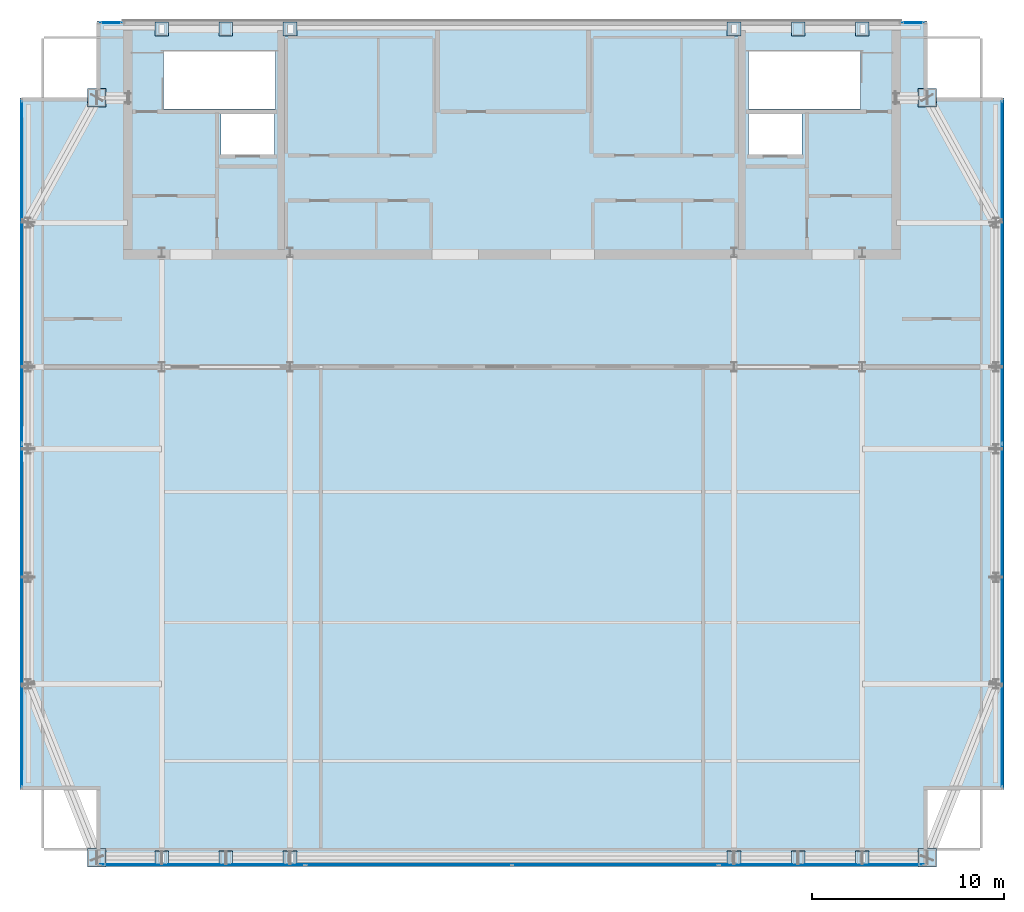
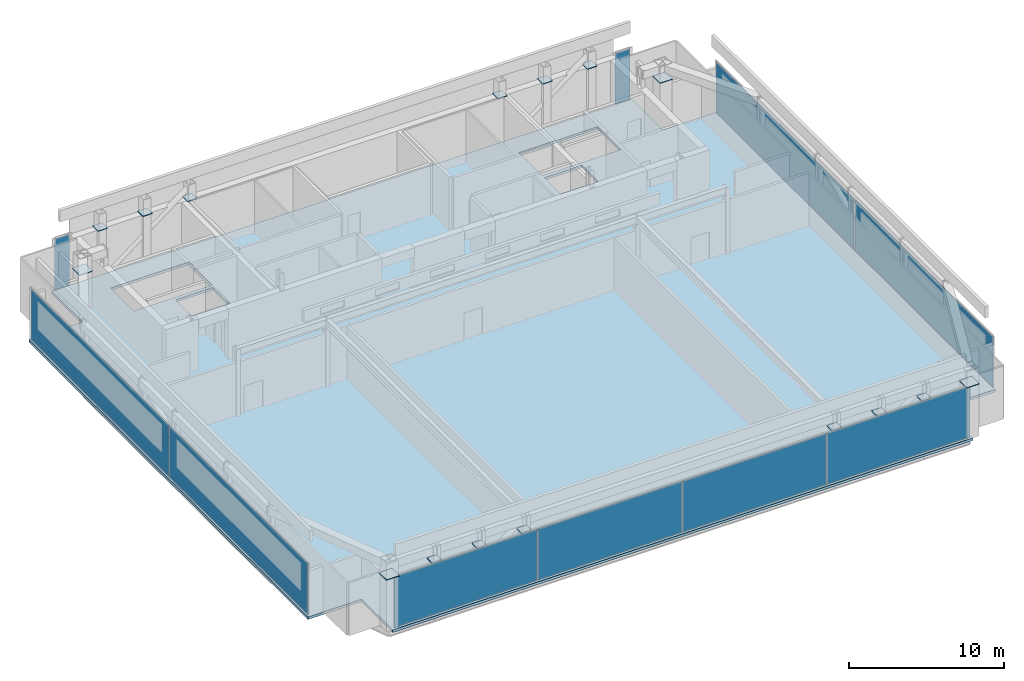
# One storey, part 18 of 24: 26 plates, 1 slab, 5 elements without a shape of their own.
"""IFC4 building model written with IfcOpenShell, lengths in metres."""

import ifcopenshell
import ifcopenshell.guid

model = None  # the IFC model being written
_history = None  # IfcOwnerHistory: only IFC2X3 demands one
_inside = {}  # id of a spatial element -> (the spatial element, [elements in it])
_under = {}  # id of a project, library or spatial element -> (it, [spatial elements below it])
_declared = {}  # id of a project -> (the project, [libraries it declares])
_typed = {}  # id of a type object -> (the type object, [elements of that type])
_made_of = {}  # id of a material, layer set ... -> (it, [elements and type objects made of it])


def new_model(schema):
    """Start an empty IFC model of exactly this schema.

    Asked for "IFC4X3", IfcOpenShell would pick the latest addendum, in which some entities
    have other attributes; the version numbers below select the first issue.
    IFC2X3 requires an IfcOwnerHistory on every rooted entity: one is made here for all.
    """
    global model, _history
    if schema == "IFC4X3":
        model = ifcopenshell.file(schema_version=(4, 3, 0, 0))
    else:
        model = ifcopenshell.file(schema=schema)
    _inside.clear()
    _under.clear()
    _declared.clear()
    _typed.clear()
    _made_of.clear()
    _history = None
    if model.schema == "IFC2X3":
        org = make("IfcOrganization", Name="unknown")
        user = make(
            "IfcPersonAndOrganization",
            ThePerson=make("IfcPerson", FamilyName="unknown"),
            TheOrganization=org,
        )
        app = make(
            "IfcApplication",
            ApplicationDeveloper=org,
            Version="unknown",
            ApplicationFullName="unknown",
            ApplicationIdentifier="unknown",
        )
        _history = make(
            "IfcOwnerHistory",
            OwningUser=user,
            OwningApplication=app,
            ChangeAction="ADDED",
            CreationDate=0,
        )
    return model


def make(cls, **values):
    """One entity of the class cls with the attributes given. An attribute that is None is left unset."""
    return model.create_entity(
        cls, **{name: value for name, value in values.items() if value is not None}
    )


def rooted(cls, **values):
    """An entity with a GlobalId (a new one), such as an element, a storey or a relation."""
    return make(cls, GlobalId=ifcopenshell.guid.new(), OwnerHistory=_history, **values)


def si_unit(unit_type, name, prefix=None):
    """IfcSIUnit, for example si_unit("LENGTHUNIT", "METRE", prefix="MILLI")."""
    return make("IfcSIUnit", UnitType=unit_type, Prefix=prefix, Name=name)


def assignment(units):
    """IfcUnitAssignment: the units of a project."""
    return None if units is None else make("IfcUnitAssignment", Units=units)


def point(xyz):
    """IfcCartesianPoint."""
    return None if xyz is None else make("IfcCartesianPoint", Coordinates=xyz)


def direction(xyz):
    """IfcDirection."""
    return None if xyz is None else make("IfcDirection", DirectionRatios=xyz)


def frame(location, z_axis=None, x_axis=None):
    """IfcAxis2Placement3D, a coordinate frame: its origin and axes. An axis left out is left unset."""
    return make(
        "IfcAxis2Placement3D",
        Location=point(location),
        Axis=direction(z_axis),
        RefDirection=direction(x_axis),
    )


def frame_2d(location, x_axis=None):
    """IfcAxis2Placement2D, a coordinate frame in the plane: its origin and x axis."""
    return make(
        "IfcAxis2Placement2D", Location=point(location), RefDirection=direction(x_axis)
    )


def origin():
    """The frame at (0, 0, 0) with its axes left unset."""
    return frame((0.0, 0.0, 0.0))


def origin_2d():
    """The frame at (0, 0) in the plane with its x axis left unset."""
    return frame_2d((0.0, 0.0))


def place(relative_to, where):
    """IfcLocalPlacement: puts the frame where relative to a parent placement (None: the world)."""
    return make(
        "IfcLocalPlacement", PlacementRelTo=relative_to, RelativePlacement=where
    )


def context(
    kind, dimensions, precision=None, world=None, true_north=None, identifier=None
):
    """IfcGeometricRepresentationContext, for example the 3D "Model" context."""
    return make(
        "IfcGeometricRepresentationContext",
        ContextIdentifier=identifier,
        ContextType=kind,
        CoordinateSpaceDimension=dimensions,
        Precision=precision,
        WorldCoordinateSystem=world,
        TrueNorth=true_north,
    )


def subcontext(parent, identifier, kind, view, scale=None):
    """IfcGeometricRepresentationSubContext, for example "Body" below "Model"."""
    return make(
        "IfcGeometricRepresentationSubContext",
        ContextIdentifier=identifier,
        ContextType=kind,
        ParentContext=parent,
        TargetScale=scale,
        TargetView=view,
    )


def project(units=None, contexts=None):
    """IfcProject with its units and contexts."""
    return rooted(
        "IfcProject",
        Name="project",
        RepresentationContexts=contexts,
        UnitsInContext=assignment(units),
    )


def spatial(cls, under=None, at=None, **own):
    """A site, building, storey or space (cls), placed at a placement, below another one or the project."""
    s = rooted(cls, ObjectPlacement=at, **own)
    if under is not None:
        _under.setdefault(under.id(), (under, []))[1].append(s)
    return s


def polyline(points):
    """IfcPolyline through the points."""
    return make("IfcPolyline", Points=[point(p) for p in points])


def profile(cls, at=None, kind="AREA", **sizes):
    """A parametric profile (cls). Its sizes go by their IFC names, for example OverallWidth=200.0."""
    return make(cls, ProfileType=kind, Position=at, **sizes)


def rectangle(**sizes):
    """IfcRectangleProfileDef."""
    return profile("IfcRectangleProfileDef", **sizes)


def outline(outer, holes=None, kind="AREA"):
    """IfcArbitraryClosedProfileDef: a profile drawn as a closed curve; with holes, ...WithVoids."""
    if holes is None:
        return make("IfcArbitraryClosedProfileDef", ProfileType=kind, OuterCurve=outer)
    return make(
        "IfcArbitraryProfileDefWithVoids",
        ProfileType=kind,
        OuterCurve=outer,
        InnerCurves=holes,
    )


def extrude(swept, where, along, depth):
    """IfcExtrudedAreaSolid: the profile swept, set in the frame where, extruded along a direction by depth."""
    return make(
        "IfcExtrudedAreaSolid",
        SweptArea=swept,
        Position=where,
        ExtrudedDirection=direction(along),
        Depth=depth,
    )


def shape(context_of_items, identifier, shape_type, items):
    """IfcShapeRepresentation: the items that make up one representation, for example the "Body"."""
    return make(
        "IfcShapeRepresentation",
        ContextOfItems=context_of_items,
        RepresentationIdentifier=identifier,
        RepresentationType=shape_type,
        Items=items,
    )


def material(Name=None, Category=None):
    """IfcMaterial."""
    return make("IfcMaterial", Name=Name, Category=Category)


def layer(
    of_material, thickness, ventilated=None, Name=None, Category=None, Priority=None
):
    """IfcMaterialLayer: one layer of a wall or slab, of a material (None: an air gap)."""
    return make(
        "IfcMaterialLayer",
        Material=of_material,
        LayerThickness=thickness,
        IsVentilated=ventilated,
        Name=Name,
        Category=Category,
        Priority=Priority,
    )


def layer_set(layers, Name=None):
    """IfcMaterialLayerSet."""
    return make("IfcMaterialLayerSet", MaterialLayers=layers, LayerSetName=Name)


def made_of(thing, what):
    """Note that an element or type object is made of a material, layer set ...; save() writes the relation."""
    if what is not None:
        _made_of.setdefault(what.id(), (what, []))[1].append(thing)
    return thing


def type_object(cls, material=None, **own):
    """A type object (cls), such as IfcWallType, which elements share."""
    return made_of(rooted(cls, **own), material)


def element(
    cls,
    number,
    at=None,
    inside=None,
    cuts=None,
    type_object=None,
    material=None,
    context=None,
    identifier="Body",
    shape_type=None,
    held_by="IfcProductDefinitionShape",
    body=None,
    shapes=None,
    **own,
):
    """One element of the class cls, such as IfcWall. Its Tag is "e" and its number.

    at: its placement. inside: the storey or other place that contains it. cuts: it is an
    opening in that element (IfcRelVoidsElement). A single representation is given by context,
    identifier, shape_type and body (its items); several are given by shapes. held_by: the class
    of the entity that holds the representations. save() writes the other relations.
    """
    e = rooted(cls, Tag="e%d" % number, ObjectPlacement=at, **own)
    if body is not None:
        shapes = [shape(context, identifier, shape_type, body)]
    if shapes is not None:
        e.Representation = make(held_by, Representations=shapes)
    if inside is not None:
        _inside.setdefault(inside.id(), (inside, []))[1].append(e)
    if cuts is not None:
        rooted(
            "IfcRelVoidsElement", RelatingBuildingElement=cuts, RelatedOpeningElement=e
        )
    if type_object is not None:
        _typed.setdefault(type_object.id(), (type_object, []))[1].append(e)
    return made_of(e, material)


def aggregate(whole, parts):
    """IfcRelAggregates: a whole, such as a stair, and the parts it consists of."""
    return rooted("IfcRelAggregates", RelatingObject=whole, RelatedObjects=parts)


def save(model, path):
    """Write the relations noted so far, then the file.

    IfcRelAggregates (storeys below a building ...), IfcRelContainedInSpatialStructure (elements
    in a storey), IfcRelDefinesByType, IfcRelAssociatesMaterial and IfcRelDeclares: one each for
    every whole, place, type object, material and project.
    """
    for whole, parts in _under.values():
        aggregate(whole, parts)
    for where, things in _inside.values():
        rooted(
            "IfcRelContainedInSpatialStructure",
            RelatedElements=things,
            RelatingStructure=where,
        )
    for kind, things in _typed.values():
        rooted("IfcRelDefinesByType", RelatedObjects=things, RelatingType=kind)
    for what, things in _made_of.values():
        rooted("IfcRelAssociatesMaterial", RelatedObjects=things, RelatingMaterial=what)
    for by, libraries in _declared.values():
        rooted("IfcRelDeclares", RelatingContext=by, RelatedDefinitions=libraries)
    model.write(path)


model = new_model("IFC4")

# Units and contexts
model_context = context("Model", 3, precision=1e-05, world=origin(), true_north=direction((0.0, 1.0)))
body_context = subcontext(model_context, "Body", "Model", "MODEL_VIEW")
ifc_project = project(units=[si_unit("LENGTHUNIT", "METRE"), si_unit("AREAUNIT", "SQUARE_METRE"), si_unit("VOLUMEUNIT", "CUBIC_METRE"), si_unit("PLANEANGLEUNIT", "RADIAN"), si_unit("MASSUNIT", "GRAM", prefix="KILO")], contexts=[model_context])

# Site, building, storey
site_placement = place(None, origin())
site = spatial("IfcSite", under=ifc_project, at=site_placement, CompositionType="ELEMENT")
building_placement = place(site_placement, origin())
building = spatial("IfcBuilding", under=site, at=building_placement, Name="Khoronbel Lancet Exchange", CompositionType="ELEMENT")
storey_placement = place(building_placement, frame((0.0, 0.0, 378.60009765625)))
storey = spatial("IfcBuildingStorey", under=building, at=storey_placement, Name="L96", CompositionType="ELEMENT", Elevation=378.60009765625)

# Curtain wall, plates
ifc_material_1 = material(Name="Low-E Solar Control Insulating Glass", Category="glass")
curtain_wall_type = type_object("IfcCurtainWallType", Name="CW-6", PredefinedType="NOTDEFINED", material=ifc_material_1)
curtain_wall_1_placement = place(storey_placement, origin())
curtain_wall_1 = element("IfcCurtainWall", 1, at=curtain_wall_1_placement, inside=storey, type_object=curtain_wall_type, Name="Unitised curtain wall CW-L96-E03", PredefinedType="NOTDEFINED")
ifc_material_2 = material(Name="Bronze-Anodised Aluminium 6063-T6", Category="aluminium")
ifc_layer_1 = layer(ifc_material_2, 0.050048828125, Name="Bronze-Anodised Aluminium 6063-T6")
ifc_layer_set_1 = layer_set([ifc_layer_1], Name="Bronze-Anodised Aluminium 6063-T6")
plate_type_1 = type_object("IfcPlateType", Name="PLT-CSP1", PredefinedType="SHEET", material=ifc_layer_set_1)
plate_1_placement = place(storey_placement, frame((10.93994140625, 22.763671875, 0.0849609375), z_axis=(0.0, 0.0, 1.0), x_axis=(0.0, 1.0, 0.0)))
plate_1 = element("IfcPlate", 2, at=plate_1_placement, type_object=plate_type_1, Name="CW6 panel 1.1", PredefinedType="CURTAIN_PANEL", context=body_context, shape_type="SweptSolid", body=[
    extrude(rectangle(XDim=17.797607421875, YDim=0.0380859375, at=origin_2d()), origin(), (0.0, 0.0, 1.0), 4.010009765625),
])
plate_2_placement = place(storey_placement, frame((10.93994140625, 40.63623046875, 0.0849609375), z_axis=(0.0, 0.0, 1.0), x_axis=(0.0, 1.0, 0.0)))
plate_2 = element("IfcPlate", 3, at=plate_2_placement, type_object=plate_type_1, Name="CW6 panel 2.1", PredefinedType="CURTAIN_PANEL", context=body_context, shape_type="SweptSolid", body=[
    extrude(rectangle(XDim=17.797607421875, YDim=0.0380859375, at=origin_2d()), origin(), (0.0, 0.0, 1.0), 4.010009765625),
])
aggregate(curtain_wall_1, [plate_1, plate_2])

# Curtain wall, plate
curtain_wall_2_placement = place(storey_placement, origin())
curtain_wall_2 = element("IfcCurtainWall", 4, at=curtain_wall_2_placement, inside=storey, type_object=curtain_wall_type, Name="Unitised curtain wall CW-L96-NWFLK", PredefinedType="NOTDEFINED")
plate_3_placement = place(storey_placement, frame((15.580078125, 53.610107421875, 0.0849609375), z_axis=(0.0, 0.0, 1.0), x_axis=(-1.0, 0.0, 0.0)))
plate_3 = element("IfcPlate", 5, at=plate_3_placement, type_object=plate_type_1, Name="CW6 panel 1.1", PredefinedType="CURTAIN_PANEL", context=body_context, shape_type="SweptSolid", body=[
    extrude(rectangle(XDim=1.110107421875, YDim=0.0380859375, at=origin_2d()), origin(), (0.0, 0.0, 1.0), 4.010009765625),
])
aggregate(curtain_wall_2, [plate_3])

curtain_wall_3_placement = place(storey_placement, origin())
curtain_wall_3 = element("IfcCurtainWall", 6, at=curtain_wall_3_placement, inside=storey, type_object=curtain_wall_type, Name="Unitised curtain wall CW-L96-NEFLK", PredefinedType="NOTDEFINED")
plate_4_placement = place(storey_placement, frame((57.320068359375, 53.610107421875, 0.0849609375), z_axis=(0.0, 0.0, 1.0), x_axis=(-1.0, 0.0, 0.0)))
plate_4 = element("IfcPlate", 7, at=plate_4_placement, type_object=plate_type_1, Name="CW6 panel 1.1", PredefinedType="CURTAIN_PANEL", context=body_context, shape_type="SweptSolid", body=[
    extrude(rectangle(XDim=1.110107421875, YDim=0.0380859375, at=origin_2d()), origin(), (0.0, 0.0, 1.0), 4.010009765625),
])
aggregate(curtain_wall_3, [plate_4])

# Curtain wall, plates
curtain_wall_4_placement = place(storey_placement, origin())
curtain_wall_4 = element("IfcCurtainWall", 8, at=curtain_wall_4_placement, inside=storey, type_object=curtain_wall_type, Name="Unitised curtain wall CW-L96-E09", PredefinedType="NOTDEFINED")
plate_5_placement = place(storey_placement, frame((61.9599609375, 40.63623046875, 0.0849609375), z_axis=(0.0, 0.0, 1.0), x_axis=(0.0, -1.0, 0.0)))
plate_5 = element("IfcPlate", 9, at=plate_5_placement, type_object=plate_type_1, Name="CW6 panel 1.1", PredefinedType="CURTAIN_PANEL", context=body_context, shape_type="SweptSolid", body=[
    extrude(rectangle(XDim=17.797607421875, YDim=0.0380859375, at=origin_2d()), origin(), (0.0, 0.0, 1.0), 4.010009765625),
])
plate_6_placement = place(storey_placement, frame((61.9599609375, 22.763671875, 0.0849609375), z_axis=(0.0, 0.0, 1.0), x_axis=(0.0, -1.0, 0.0)))
plate_6 = element("IfcPlate", 10, at=plate_6_placement, type_object=plate_type_1, Name="CW6 panel 2.1", PredefinedType="CURTAIN_PANEL", context=body_context, shape_type="SweptSolid", body=[
    extrude(rectangle(XDim=17.797607421875, YDim=0.0380859375, at=origin_2d()), origin(), (0.0, 0.0, 1.0), 4.010009765625),
])
aggregate(curtain_wall_4, [plate_5, plate_6])

curtain_wall_5_placement = place(storey_placement, origin())
curtain_wall_5 = element("IfcCurtainWall", 11, at=curtain_wall_5_placement, inside=storey, type_object=curtain_wall_type, Name="Unitised curtain wall CW-L96-E12", PredefinedType="NOTDEFINED")
plate_7_placement = place(storey_placement, frame((52.563720703125, 9.7900390625, 0.0849609375), z_axis=(0.0, 0.0, 1.0), x_axis=(-1.0, 0.0, 0.0)))
plate_7 = element("IfcPlate", 12, at=plate_7_placement, type_object=plate_type_1, Name="CW6 panel 1.1", PredefinedType="CURTAIN_PANEL", context=body_context, shape_type="SweptSolid", body=[
    extrude(rectangle(XDim=10.642578125, YDim=0.0380859375, at=origin_2d()), origin(), (0.0, 0.0, 1.0), 4.010009765625),
])
plate_8_placement = place(storey_placement, frame((41.827392578125, 9.7900390625, 0.0849609375), z_axis=(0.0, 0.0, 1.0), x_axis=(-1.0, 0.0, 0.0)))
plate_8 = element("IfcPlate", 13, at=plate_8_placement, type_object=plate_type_1, Name="CW6 panel 2.1", PredefinedType="CURTAIN_PANEL", context=body_context, shape_type="SweptSolid", body=[
    extrude(rectangle(XDim=10.679931640625, YDim=0.0380859375, at=origin_2d()), origin(), (0.0, 0.0, 1.0), 4.010009765625),
])
plate_9_placement = place(storey_placement, frame((31.072509765625, 9.7900390625, 0.0849609375), z_axis=(0.0, 0.0, 1.0), x_axis=(-1.0, 0.0, 0.0)))
plate_9 = element("IfcPlate", 14, at=plate_9_placement, type_object=plate_type_1, Name="CW6 panel 3.1", PredefinedType="CURTAIN_PANEL", context=body_context, shape_type="SweptSolid", body=[
    extrude(rectangle(XDim=10.679931640625, YDim=0.0380859375, at=origin_2d()), origin(), (0.0, 0.0, 1.0), 4.010009765625),
])
plate_10_placement = place(storey_placement, frame((20.336181640625, 9.7900390625, 0.0849609375), z_axis=(0.0, 0.0, 1.0), x_axis=(-1.0, 0.0, 0.0)))
plate_10 = element("IfcPlate", 15, at=plate_10_placement, type_object=plate_type_1, Name="CW6 panel 4.1", PredefinedType="CURTAIN_PANEL", context=body_context, shape_type="SweptSolid", body=[
    extrude(rectangle(XDim=10.642578125, YDim=0.0380859375, at=origin_2d()), origin(), (0.0, 0.0, 1.0), 4.010009765625),
])
aggregate(curtain_wall_5, [plate_7, plate_8, plate_9, plate_10])

# Plates
ifc_material_3 = material(Name="Steel S460", Category="steel")
ifc_layer_2 = layer(ifc_material_3, 0.044921875, Name="Steel S460")
ifc_layer_set_2 = layer_set([ifc_layer_2], Name="Steel S460")
plate_type_2 = type_object("IfcPlateType", Name="PLT-ECP1", PredefinedType="USERDEFINED", material=ifc_layer_set_2)
plate_11_placement = place(storey_placement, frame((0.0, 0.0, 4.087890625)))
element("IfcPlate", 16, at=plate_11_placement, inside=storey, type_object=plate_type_2, Name="Hollow end cap plate PLT-CAP-COL-L96-MC-SW-TOP", ObjectType="STIFFENER_PLATE", PredefinedType="USERDEFINED", context=body_context, shape_type="SweptSolid", body=[
    extrude(outline(polyline([(14.3701171875, 9.669921875), (15.330078125, 9.669921875), (15.330078125, 10.6298828125), (14.3701171875, 10.6298828125), (14.3701171875, 9.669921875)])), origin(), (0.0, 0.0, 1.0), 0.044921875),
])
plate_12_placement = place(storey_placement, frame((0.0, 0.0, 4.087890625)))
element("IfcPlate", 17, at=plate_12_placement, inside=storey, type_object=plate_type_2, Name="Hollow end cap plate PLT-CAP-COL-L96-MC-SE-TOP", ObjectType="STIFFENER_PLATE", PredefinedType="USERDEFINED", context=body_context, shape_type="SweptSolid", body=[
    extrude(outline(polyline([(57.570068359375, 9.669921875), (58.530029296875, 9.669921875), (58.530029296875, 10.6298828125), (57.570068359375, 10.6298828125), (57.570068359375, 9.669921875)])), origin(), (0.0, 0.0, 1.0), 0.044921875),
])
plate_13_placement = place(storey_placement, frame((0.0, 0.0, 4.087890625)))
element("IfcPlate", 18, at=plate_13_placement, inside=storey, type_object=plate_type_2, Name="Hollow end cap plate PLT-CAP-COL-L96-MC-NE-TOP", ObjectType="STIFFENER_PLATE", PredefinedType="USERDEFINED", context=body_context, shape_type="SweptSolid", body=[
    extrude(outline(polyline([(57.570068359375, 49.219970703125), (58.530029296875, 49.219970703125), (58.530029296875, 50.179931640625), (57.570068359375, 50.179931640625), (57.570068359375, 49.219970703125)])), origin(), (0.0, 0.0, 1.0), 0.044921875),
])
plate_14_placement = place(storey_placement, frame((0.0, 0.0, 4.087890625)))
element("IfcPlate", 19, at=plate_14_placement, inside=storey, type_object=plate_type_2, Name="Hollow end cap plate PLT-CAP-COL-L96-MC-NW-TOP", ObjectType="STIFFENER_PLATE", PredefinedType="USERDEFINED", context=body_context, shape_type="SweptSolid", body=[
    extrude(outline(polyline([(14.3701171875, 49.219970703125), (15.330078125, 49.219970703125), (15.330078125, 50.179931640625), (14.3701171875, 50.179931640625), (14.3701171875, 49.219970703125)])), origin(), (0.0, 0.0, 1.0), 0.044921875),
])
plate_15_placement = place(storey_placement, frame((0.0, 0.0, 4.087890625)))
element("IfcPlate", 20, at=plate_15_placement, inside=storey, type_object=plate_type_2, Name="Hollow end cap plate PLT-CAP-COL-L96-SC-W1-TOP", ObjectType="STIFFENER_PLATE", PredefinedType="USERDEFINED", context=body_context, shape_type="SweptSolid", body=[
    extrude(outline(polyline([(17.8701171875, 9.794921875), (18.580078125, 9.794921875), (18.580078125, 10.5048828125), (17.8701171875, 10.5048828125), (17.8701171875, 9.794921875)])), origin(), (0.0, 0.0, 1.0), 0.044921875),
])
plate_16_placement = place(storey_placement, frame((0.0, 0.0, 4.087890625)))
element("IfcPlate", 21, at=plate_16_placement, inside=storey, type_object=plate_type_2, Name="Hollow end cap plate PLT-CAP-COL-L96-SC-WM-TOP", ObjectType="STIFFENER_PLATE", PredefinedType="USERDEFINED", context=body_context, shape_type="SweptSolid", body=[
    extrude(outline(polyline([(21.20751953125, 9.794921875), (21.91748046875, 9.794921875), (21.91748046875, 10.5048828125), (21.20751953125, 10.5048828125), (21.20751953125, 9.794921875)])), origin(), (0.0, 0.0, 1.0), 0.044921875),
])
plate_17_placement = place(storey_placement, frame((0.0, 0.0, 4.087890625)))
element("IfcPlate", 22, at=plate_17_placement, inside=storey, type_object=plate_type_2, Name="Hollow end cap plate PLT-CAP-COL-L96-SC-W2-TOP", ObjectType="STIFFENER_PLATE", PredefinedType="USERDEFINED", context=body_context, shape_type="SweptSolid", body=[
    extrude(outline(polyline([(24.544921875, 9.794921875), (25.2548828125, 9.794921875), (25.2548828125, 10.5048828125), (24.544921875, 10.5048828125), (24.544921875, 9.794921875)])), origin(), (0.0, 0.0, 1.0), 0.044921875),
])
plate_18_placement = place(storey_placement, frame((0.0, 0.0, 4.087890625)))
element("IfcPlate", 23, at=plate_18_placement, inside=storey, type_object=plate_type_2, Name="Hollow end cap plate PLT-CAP-COL-L96-SC-E1-TOP", ObjectType="STIFFENER_PLATE", PredefinedType="USERDEFINED", context=body_context, shape_type="SweptSolid", body=[
    extrude(outline(polyline([(47.64501953125, 9.794921875), (48.35498046875, 9.794921875), (48.35498046875, 10.5048828125), (47.64501953125, 10.5048828125), (47.64501953125, 9.794921875)])), origin(), (0.0, 0.0, 1.0), 0.044921875),
])
plate_19_placement = place(storey_placement, frame((0.0, 0.0, 4.087890625)))
element("IfcPlate", 24, at=plate_19_placement, inside=storey, type_object=plate_type_2, Name="Hollow end cap plate PLT-CAP-COL-L96-SC-EM-TOP", ObjectType="STIFFENER_PLATE", PredefinedType="USERDEFINED", context=body_context, shape_type="SweptSolid", body=[
    extrude(outline(polyline([(50.982421875, 9.794921875), (51.6923828125, 9.794921875), (51.6923828125, 10.5048828125), (50.982421875, 10.5048828125), (50.982421875, 9.794921875)])), origin(), (0.0, 0.0, 1.0), 0.044921875),
])
plate_20_placement = place(storey_placement, frame((0.0, 0.0, 4.087890625)))
element("IfcPlate", 25, at=plate_20_placement, inside=storey, type_object=plate_type_2, Name="Hollow end cap plate PLT-CAP-COL-L96-SC-E2-TOP", ObjectType="STIFFENER_PLATE", PredefinedType="USERDEFINED", context=body_context, shape_type="SweptSolid", body=[
    extrude(outline(polyline([(54.320068359375, 9.794921875), (55.030029296875, 9.794921875), (55.030029296875, 10.5048828125), (54.320068359375, 10.5048828125), (54.320068359375, 9.794921875)])), origin(), (0.0, 0.0, 1.0), 0.044921875),
])
plate_21_placement = place(storey_placement, frame((0.0, 0.0, 4.087890625)))
element("IfcPlate", 26, at=plate_21_placement, inside=storey, type_object=plate_type_2, Name="Hollow end cap plate PLT-CAP-COL-L96-NC-W1-TOP", ObjectType="STIFFENER_PLATE", PredefinedType="USERDEFINED", context=body_context, shape_type="SweptSolid", body=[
    extrude(outline(polyline([(17.8701171875, 52.925048828125), (18.580078125, 52.925048828125), (18.580078125, 53.635009765625), (17.8701171875, 53.635009765625), (17.8701171875, 52.925048828125)])), origin(), (0.0, 0.0, 1.0), 0.044921875),
])
plate_22_placement = place(storey_placement, frame((0.0, 0.0, 4.087890625)))
element("IfcPlate", 27, at=plate_22_placement, inside=storey, type_object=plate_type_2, Name="Hollow end cap plate PLT-CAP-COL-L96-NC-WM-TOP", ObjectType="STIFFENER_PLATE", PredefinedType="USERDEFINED", context=body_context, shape_type="SweptSolid", body=[
    extrude(outline(polyline([(21.20751953125, 52.925048828125), (21.91748046875, 52.925048828125), (21.91748046875, 53.635009765625), (21.20751953125, 53.635009765625), (21.20751953125, 52.925048828125)])), origin(), (0.0, 0.0, 1.0), 0.044921875),
])
plate_23_placement = place(storey_placement, frame((0.0, 0.0, 4.087890625)))
element("IfcPlate", 28, at=plate_23_placement, inside=storey, type_object=plate_type_2, Name="Hollow end cap plate PLT-CAP-COL-L96-NC-W2-TOP", ObjectType="STIFFENER_PLATE", PredefinedType="USERDEFINED", context=body_context, shape_type="SweptSolid", body=[
    extrude(outline(polyline([(24.544921875, 52.925048828125), (25.2548828125, 52.925048828125), (25.2548828125, 53.635009765625), (24.544921875, 53.635009765625), (24.544921875, 52.925048828125)])), origin(), (0.0, 0.0, 1.0), 0.044921875),
])
plate_24_placement = place(storey_placement, frame((0.0, 0.0, 4.087890625)))
element("IfcPlate", 29, at=plate_24_placement, inside=storey, type_object=plate_type_2, Name="Hollow end cap plate PLT-CAP-COL-L96-NC-E1-TOP", ObjectType="STIFFENER_PLATE", PredefinedType="USERDEFINED", context=body_context, shape_type="SweptSolid", body=[
    extrude(outline(polyline([(47.64501953125, 52.925048828125), (48.35498046875, 52.925048828125), (48.35498046875, 53.635009765625), (47.64501953125, 53.635009765625), (47.64501953125, 52.925048828125)])), origin(), (0.0, 0.0, 1.0), 0.044921875),
])
plate_25_placement = place(storey_placement, frame((0.0, 0.0, 4.087890625)))
element("IfcPlate", 30, at=plate_25_placement, inside=storey, type_object=plate_type_2, Name="Hollow end cap plate PLT-CAP-COL-L96-NC-EM-TOP", ObjectType="STIFFENER_PLATE", PredefinedType="USERDEFINED", context=body_context, shape_type="SweptSolid", body=[
    extrude(outline(polyline([(50.982421875, 52.925048828125), (51.6923828125, 52.925048828125), (51.6923828125, 53.635009765625), (50.982421875, 53.635009765625), (50.982421875, 52.925048828125)])), origin(), (0.0, 0.0, 1.0), 0.044921875),
])
plate_26_placement = place(storey_placement, frame((0.0, 0.0, 4.087890625)))
element("IfcPlate", 31, at=plate_26_placement, inside=storey, type_object=plate_type_2, Name="Hollow end cap plate PLT-CAP-COL-L96-NC-E2-TOP", ObjectType="STIFFENER_PLATE", PredefinedType="USERDEFINED", context=body_context, shape_type="SweptSolid", body=[
    extrude(outline(polyline([(54.320068359375, 52.925048828125), (55.030029296875, 52.925048828125), (55.030029296875, 53.635009765625), (54.320068359375, 53.635009765625), (54.320068359375, 52.925048828125)])), origin(), (0.0, 0.0, 1.0), 0.044921875),
])

# Slab
ifc_material_4 = material(Name="Concrete C40/50", Category="concrete")
ifc_layer_3 = layer(ifc_material_4, 0.199951171875, Name="Concrete C40/50")
ifc_layer_set_3 = layer_set([ifc_layer_3], Name="Concrete C40/50")
slab_type = type_object("IfcSlabType", Name="SL-FL200", PredefinedType="FLOOR", material=ifc_layer_set_3)
slab_placement = place(storey_placement, frame((0.0, 0.0, -0.2001953125)))
element("IfcSlab", 32, at=slab_placement, inside=storey, type_object=slab_type, Name="Level L96 composite structural floor slab", PredefinedType="FLOOR", context=body_context, shape_type="SweptSolid", body=[
    extrude(outline(polyline([(14.85009765625, 9.699951171875), (58.050048828125, 9.699951171875), (58.050048828125, 13.699951171875), (62.050048828125, 13.699951171875), (62.050048828125, 17.699951171875), (62.050048828125, 45.699951171875), (62.050048828125, 49.699951171875), (58.050048828125, 49.699951171875), (58.050048828125, 53.699951171875), (14.85009765625, 53.699951171875), (14.85009765625, 49.699951171875), (10.85009765625, 49.699951171875), (10.85009765625, 45.699951171875), (10.85009765625, 17.699951171875), (10.85009765625, 13.699951171875), (14.85009765625, 13.699951171875), (14.85009765625, 9.699951171875)]), holes=[polyline([(18.324951171875, 49.1201171875), (24.14990234375, 49.1201171875), (24.14990234375, 52.10009765625), (18.324951171875, 52.10009765625), (18.324951171875, 49.1201171875)]), polyline([(48.75, 49.1201171875), (54.574951171875, 49.1201171875), (54.574951171875, 52.10009765625), (48.75, 52.10009765625), (48.75, 49.1201171875)]), polyline([(21.300048828125, 46.75), (24.10009765625, 46.75), (24.10009765625, 48.85009765625), (21.300048828125, 48.85009765625), (21.300048828125, 46.75)]), polyline([(48.75, 46.75), (51.550048828125, 46.75), (51.550048828125, 48.85009765625), (48.75, 48.85009765625), (48.75, 46.75)])]), origin(), (0.0, 0.0, 1.0), 0.2001953125),
])

save(model, "model.ifc")
